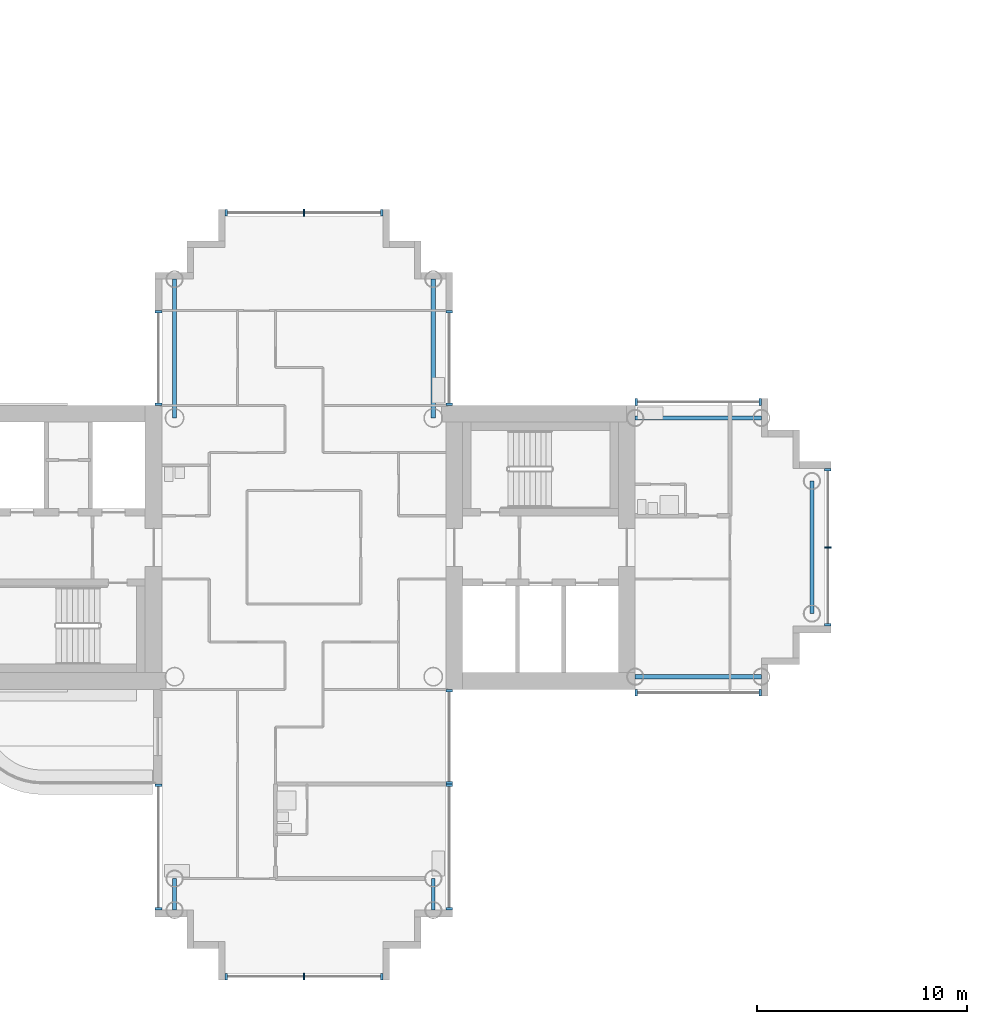
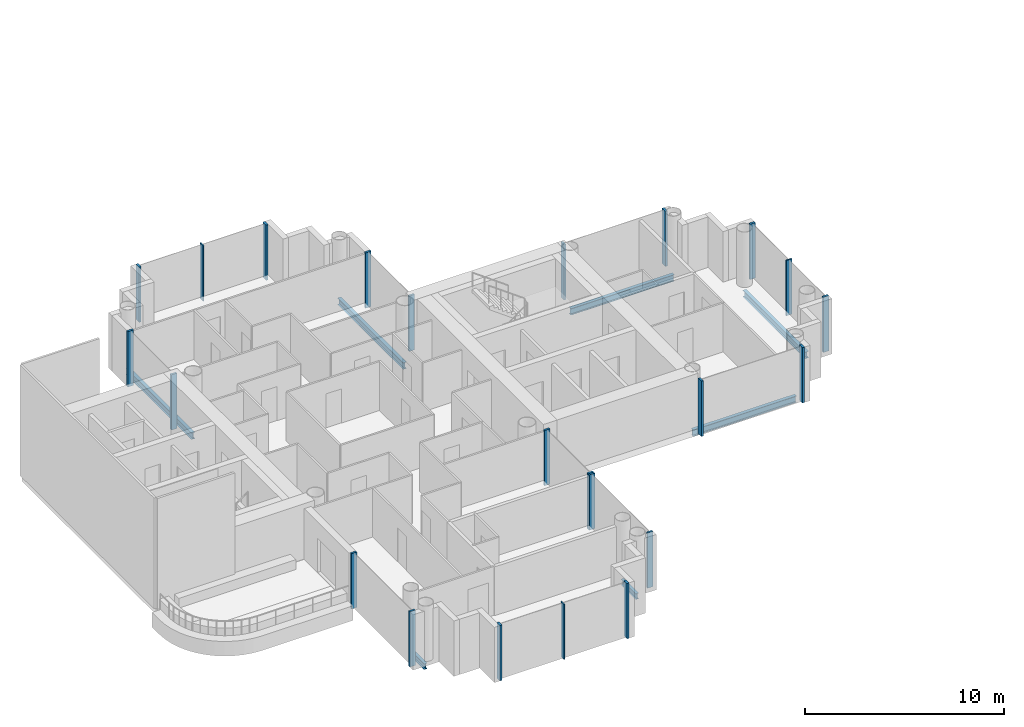
# One storey, part 3 of 20: 23 members, 7 beams, 10 elements without a shape of their own.
"""IFC4 building model written with IfcOpenShell, lengths in metres."""

import ifcopenshell
import ifcopenshell.guid

model = None  # the IFC model being written
_history = None  # IfcOwnerHistory: only IFC2X3 demands one
_inside = {}  # id of a spatial element -> (the spatial element, [elements in it])
_under = {}  # id of a project, library or spatial element -> (it, [spatial elements below it])
_declared = {}  # id of a project -> (the project, [libraries it declares])
_typed = {}  # id of a type object -> (the type object, [elements of that type])
_made_of = {}  # id of a material, layer set ... -> (it, [elements and type objects made of it])


def new_model(schema):
    """Start an empty IFC model of exactly this schema.

    Asked for "IFC4X3", IfcOpenShell would pick the latest addendum, in which some entities
    have other attributes; the version numbers below select the first issue.
    IFC2X3 requires an IfcOwnerHistory on every rooted entity: one is made here for all.
    """
    global model, _history
    if schema == "IFC4X3":
        model = ifcopenshell.file(schema_version=(4, 3, 0, 0))
    else:
        model = ifcopenshell.file(schema=schema)
    _inside.clear()
    _under.clear()
    _declared.clear()
    _typed.clear()
    _made_of.clear()
    _history = None
    if model.schema == "IFC2X3":
        org = make("IfcOrganization", Name="unknown")
        user = make(
            "IfcPersonAndOrganization",
            ThePerson=make("IfcPerson", FamilyName="unknown"),
            TheOrganization=org,
        )
        app = make(
            "IfcApplication",
            ApplicationDeveloper=org,
            Version="unknown",
            ApplicationFullName="unknown",
            ApplicationIdentifier="unknown",
        )
        _history = make(
            "IfcOwnerHistory",
            OwningUser=user,
            OwningApplication=app,
            ChangeAction="ADDED",
            CreationDate=0,
        )
    return model


def make(cls, **values):
    """One entity of the class cls with the attributes given. An attribute that is None is left unset."""
    return model.create_entity(
        cls, **{name: value for name, value in values.items() if value is not None}
    )


def rooted(cls, **values):
    """An entity with a GlobalId (a new one), such as an element, a storey or a relation."""
    return make(cls, GlobalId=ifcopenshell.guid.new(), OwnerHistory=_history, **values)


def si_unit(unit_type, name, prefix=None):
    """IfcSIUnit, for example si_unit("LENGTHUNIT", "METRE", prefix="MILLI")."""
    return make("IfcSIUnit", UnitType=unit_type, Prefix=prefix, Name=name)


def assignment(units):
    """IfcUnitAssignment: the units of a project."""
    return None if units is None else make("IfcUnitAssignment", Units=units)


def point(xyz):
    """IfcCartesianPoint."""
    return None if xyz is None else make("IfcCartesianPoint", Coordinates=xyz)


def direction(xyz):
    """IfcDirection."""
    return None if xyz is None else make("IfcDirection", DirectionRatios=xyz)


def frame(location, z_axis=None, x_axis=None):
    """IfcAxis2Placement3D, a coordinate frame: its origin and axes. An axis left out is left unset."""
    return make(
        "IfcAxis2Placement3D",
        Location=point(location),
        Axis=direction(z_axis),
        RefDirection=direction(x_axis),
    )


def frame_2d(location, x_axis=None):
    """IfcAxis2Placement2D, a coordinate frame in the plane: its origin and x axis."""
    return make(
        "IfcAxis2Placement2D", Location=point(location), RefDirection=direction(x_axis)
    )


def origin():
    """The frame at (0, 0, 0) with its axes left unset."""
    return frame((0.0, 0.0, 0.0))


def origin_2d():
    """The frame at (0, 0) in the plane with its x axis left unset."""
    return frame_2d((0.0, 0.0))


def place(relative_to, where):
    """IfcLocalPlacement: puts the frame where relative to a parent placement (None: the world)."""
    return make(
        "IfcLocalPlacement", PlacementRelTo=relative_to, RelativePlacement=where
    )


def context(
    kind, dimensions, precision=None, world=None, true_north=None, identifier=None
):
    """IfcGeometricRepresentationContext, for example the 3D "Model" context."""
    return make(
        "IfcGeometricRepresentationContext",
        ContextIdentifier=identifier,
        ContextType=kind,
        CoordinateSpaceDimension=dimensions,
        Precision=precision,
        WorldCoordinateSystem=world,
        TrueNorth=true_north,
    )


def subcontext(parent, identifier, kind, view, scale=None):
    """IfcGeometricRepresentationSubContext, for example "Body" below "Model"."""
    return make(
        "IfcGeometricRepresentationSubContext",
        ContextIdentifier=identifier,
        ContextType=kind,
        ParentContext=parent,
        TargetScale=scale,
        TargetView=view,
    )


def project(units=None, contexts=None):
    """IfcProject with its units and contexts."""
    return rooted(
        "IfcProject",
        Name="project",
        RepresentationContexts=contexts,
        UnitsInContext=assignment(units),
    )


def spatial(cls, under=None, at=None, **own):
    """A site, building, storey or space (cls), placed at a placement, below another one or the project."""
    s = rooted(cls, ObjectPlacement=at, **own)
    if under is not None:
        _under.setdefault(under.id(), (under, []))[1].append(s)
    return s


def profile(cls, at=None, kind="AREA", **sizes):
    """A parametric profile (cls). Its sizes go by their IFC names, for example OverallWidth=200.0."""
    return make(cls, ProfileType=kind, Position=at, **sizes)


def rectangle(**sizes):
    """IfcRectangleProfileDef."""
    return profile("IfcRectangleProfileDef", **sizes)


def i_section(**sizes):
    """IfcIShapeProfileDef."""
    return profile("IfcIShapeProfileDef", **sizes)


def extrude(swept, where, along, depth):
    """IfcExtrudedAreaSolid: the profile swept, set in the frame where, extruded along a direction by depth."""
    return make(
        "IfcExtrudedAreaSolid",
        SweptArea=swept,
        Position=where,
        ExtrudedDirection=direction(along),
        Depth=depth,
    )


def shape(context_of_items, identifier, shape_type, items):
    """IfcShapeRepresentation: the items that make up one representation, for example the "Body"."""
    return make(
        "IfcShapeRepresentation",
        ContextOfItems=context_of_items,
        RepresentationIdentifier=identifier,
        RepresentationType=shape_type,
        Items=items,
    )


def material(Name=None, Category=None):
    """IfcMaterial."""
    return make("IfcMaterial", Name=Name, Category=Category)


def layer(
    of_material, thickness, ventilated=None, Name=None, Category=None, Priority=None
):
    """IfcMaterialLayer: one layer of a wall or slab, of a material (None: an air gap)."""
    return make(
        "IfcMaterialLayer",
        Material=of_material,
        LayerThickness=thickness,
        IsVentilated=ventilated,
        Name=Name,
        Category=Category,
        Priority=Priority,
    )


def layer_set(layers, Name=None):
    """IfcMaterialLayerSet."""
    return make("IfcMaterialLayerSet", MaterialLayers=layers, LayerSetName=Name)


def material_profile(
    of_material, cross_section, Name=None, Category=None, Priority=None
):
    """IfcMaterialProfile: a cross section and its material."""
    return make(
        "IfcMaterialProfile",
        Name=Name,
        Material=of_material,
        Profile=cross_section,
        Priority=Priority,
        Category=Category,
    )


def profile_set(profiles, Name=None, composite=None):
    """IfcMaterialProfileSet."""
    return make(
        "IfcMaterialProfileSet",
        Name=Name,
        MaterialProfiles=profiles,
        CompositeProfile=composite,
    )


def made_of(thing, what):
    """Note that an element or type object is made of a material, layer set ...; save() writes the relation."""
    if what is not None:
        _made_of.setdefault(what.id(), (what, []))[1].append(thing)
    return thing


def type_object(cls, material=None, **own):
    """A type object (cls), such as IfcWallType, which elements share."""
    return made_of(rooted(cls, **own), material)


def element(
    cls,
    number,
    at=None,
    inside=None,
    cuts=None,
    type_object=None,
    material=None,
    context=None,
    identifier="Body",
    shape_type=None,
    held_by="IfcProductDefinitionShape",
    body=None,
    shapes=None,
    **own,
):
    """One element of the class cls, such as IfcWall. Its Tag is "e" and its number.

    at: its placement. inside: the storey or other place that contains it. cuts: it is an
    opening in that element (IfcRelVoidsElement). A single representation is given by context,
    identifier, shape_type and body (its items); several are given by shapes. held_by: the class
    of the entity that holds the representations. save() writes the other relations.
    """
    e = rooted(cls, Tag="e%d" % number, ObjectPlacement=at, **own)
    if body is not None:
        shapes = [shape(context, identifier, shape_type, body)]
    if shapes is not None:
        e.Representation = make(held_by, Representations=shapes)
    if inside is not None:
        _inside.setdefault(inside.id(), (inside, []))[1].append(e)
    if cuts is not None:
        rooted(
            "IfcRelVoidsElement", RelatingBuildingElement=cuts, RelatedOpeningElement=e
        )
    if type_object is not None:
        _typed.setdefault(type_object.id(), (type_object, []))[1].append(e)
    return made_of(e, material)


def aggregate(whole, parts):
    """IfcRelAggregates: a whole, such as a stair, and the parts it consists of."""
    return rooted("IfcRelAggregates", RelatingObject=whole, RelatedObjects=parts)


def save(model, path):
    """Write the relations noted so far, then the file.

    IfcRelAggregates (storeys below a building ...), IfcRelContainedInSpatialStructure (elements
    in a storey), IfcRelDefinesByType, IfcRelAssociatesMaterial and IfcRelDeclares: one each for
    every whole, place, type object, material and project.
    """
    for whole, parts in _under.values():
        aggregate(whole, parts)
    for where, things in _inside.values():
        rooted(
            "IfcRelContainedInSpatialStructure",
            RelatedElements=things,
            RelatingStructure=where,
        )
    for kind, things in _typed.values():
        rooted("IfcRelDefinesByType", RelatedObjects=things, RelatingType=kind)
    for what, things in _made_of.values():
        rooted("IfcRelAssociatesMaterial", RelatedObjects=things, RelatingMaterial=what)
    for by, libraries in _declared.values():
        rooted("IfcRelDeclares", RelatingContext=by, RelatedDefinitions=libraries)
    model.write(path)


model = new_model("IFC4")

# Units and contexts
model_context = context("Model", 3, precision=1e-05, world=origin(), true_north=direction((0.0, 1.0)))
body_context = subcontext(model_context, "Body", "Model", "MODEL_VIEW")
ifc_project = project(units=[si_unit("LENGTHUNIT", "METRE"), si_unit("AREAUNIT", "SQUARE_METRE"), si_unit("VOLUMEUNIT", "CUBIC_METRE"), si_unit("PLANEANGLEUNIT", "RADIAN"), si_unit("MASSUNIT", "GRAM", prefix="KILO")], contexts=[model_context])

# Site, building, storey
site_placement = place(None, origin())
site = spatial("IfcSite", under=ifc_project, at=site_placement, CompositionType="ELEMENT")
building_placement = place(site_placement, origin())
building = spatial("IfcBuilding", under=site, at=building_placement, Name="Ipe Terrace Towers", CompositionType="ELEMENT")
storey_placement = place(building_placement, frame((0.0, 0.0, 160.89990234375)))
storey = spatial("IfcBuildingStorey", under=building, at=storey_placement, Name="L44", CompositionType="ELEMENT", Elevation=160.89990234375)

# Beams
ifc_material_1 = material(Name="Steel S355", Category="steel")
ifc_material_profile_1 = material_profile(ifc_material_1, i_section(OverallWidth=0.175048828125, OverallDepth=0.35009765625, WebThickness=0.007080078125, FlangeThickness=0.010986328125, at=origin_2d()), Name="H-350x175x7x11")
ifc_profile_set_1 = profile_set([ifc_material_profile_1], Name="Steel S355")
beam_type_1 = type_object("IfcBeamType", Name="H04 EDGE BEAM H-350x175x7x11", PredefinedType="BEAM", material=ifc_profile_set_1)
for number, where, z_axis, x_axis, name in (
    (1, (-42.14990234375, -15.75, -0.574951171875), (0.0, -1.0, 0.0), (1.0, 0.0, 0.0), "Edge beam T1-EB-D03-D05"),
    (2, (-29.85009765625, -15.75, -0.574951171875), (0.0, -1.0, 0.0), (1.0, 0.0, 0.0), "Edge beam T1-EB-D04-D06"),
):
    element("IfcBeam", number, at=place(storey_placement, frame(where, z_axis=z_axis, x_axis=x_axis)), inside=storey, type_object=beam_type_1, Name=name, PredefinedType="BEAM", context=body_context, shape_type="SweptSolid", body=[
        extrude(i_section(OverallWidth=0.175048828125, OverallDepth=0.35009765625, WebThickness=0.007080078125, FlangeThickness=0.010986328125, at=origin_2d()), origin(), (0.0, 0.0, 1.0), 1.5),
    ])
ifc_material_2 = material(Name="Steel S355", Category="steel")
ifc_material_profile_2 = material_profile(ifc_material_2, i_section(OverallWidth=0.199951171875, OverallDepth=0.39990234375, WebThickness=0.008056640625, FlangeThickness=0.012939453125, at=origin_2d()), Name="H-400x200x8x13")
ifc_profile_set_2 = profile_set([ifc_material_profile_2], Name="Steel S355")
beam_type_2 = type_object("IfcBeamType", Name="H06 EDGE BEAM H-400x200x8x13", PredefinedType="BEAM", material=ifc_profile_set_2)
for number, where, z_axis, x_axis, name in (
    (3, (-20.25, -6.14990234375, -0.599853515625), (1.0, 0.0, 0.0), (0.0, 1.0, 0.0), "Edge beam T1-EB-A01-A03"),
    (4, (-20.25, 6.14990234375, -0.599853515625), (1.0, 0.0, 0.0), (0.0, 1.0, 0.0), "Edge beam T1-EB-A02-A04"),
):
    element("IfcBeam", number, at=place(storey_placement, frame(where, z_axis=z_axis, x_axis=x_axis)), inside=storey, type_object=beam_type_2, Name=name, PredefinedType="BEAM", context=body_context, shape_type="SweptSolid", body=[
        extrude(i_section(OverallWidth=0.199951171875, OverallDepth=0.39990234375, WebThickness=0.008056640625, FlangeThickness=0.012939453125, at=origin_2d()), origin(), (0.0, 0.0, 1.0), 6.0),
    ])
beam_placement = place(storey_placement, frame((-11.85009765625, -3.14990234375, -0.599853515625), z_axis=(0.0, 1.0, 0.0), x_axis=(-1.0, 0.0, 0.0)))
element("IfcBeam", 5, at=beam_placement, inside=storey, type_object=beam_type_2, Name="Edge beam T1-EB-A05-A06", PredefinedType="BEAM", context=body_context, shape_type="SweptSolid", body=[
    extrude(i_section(OverallWidth=0.199951171875, OverallDepth=0.39990234375, WebThickness=0.008056640625, FlangeThickness=0.012939453125, at=origin_2d()), origin(), (0.0, 0.0, 1.0), 6.2998046875),
])
for number, where, z_axis, x_axis, name in (
    (6, (-29.85009765625, 12.75, -0.599853515625), (0.0, -1.0, 0.0), (1.0, 0.0, 0.0), "Edge beam T1-EB-B01-E03"),
    (7, (-42.14990234375, 12.75, -0.599853515625), (0.0, -1.0, 0.0), (1.0, 0.0, 0.0), "Edge beam T1-EB-B02-E04"),
):
    element("IfcBeam", number, at=place(storey_placement, frame(where, z_axis=z_axis, x_axis=x_axis)), inside=storey, type_object=beam_type_2, Name=name, PredefinedType="BEAM", context=body_context, shape_type="SweptSolid", body=[
        extrude(i_section(OverallWidth=0.199951171875, OverallDepth=0.39990234375, WebThickness=0.008056640625, FlangeThickness=0.012939453125, at=origin_2d()), origin(), (0.0, 0.0, 1.0), 6.60009765625),
    ])

# Curtain wall, members
ifc_material_3 = material(Name="Aluminium alloy 6063-T6", Category="aluminium")
ifc_layer = layer(ifc_material_3, 0.320068359375)
ifc_layer_set = layer_set([ifc_layer], Name="TOWER UNITISED CURTAIN WALL")
curtain_wall_type = type_object("IfcCurtainWallType", Name="TOWER UNITISED CURTAIN WALL", PredefinedType="NOTDEFINED", material=ifc_layer_set)
curtain_wall_1_placement = place(storey_placement, origin())
curtain_wall_1 = element("IfcCurtainWall", 8, at=curtain_wall_1_placement, inside=storey, type_object=curtain_wall_type, Name="T1-CW-L44-03a curtain wall", PredefinedType="NOTDEFINED")
ifc_material_4 = material(Name="Aluminium alloy 6063-T6", Category="aluminium")
ifc_material_profile_3 = material_profile(ifc_material_4, rectangle(XDim=0.320068359375, YDim=0.1201171875, at=origin_2d()), Name="TOWER UNITISED CORNER MULLION 320 x 120")
ifc_profile_set_3 = profile_set([ifc_material_profile_3], Name="Aluminium alloy 6063-T6")
member_type_1 = type_object("IfcMemberType", Name="TOWER UNITISED CORNER MULLION 320 x 120", PredefinedType="MULLION", material=ifc_profile_set_3)
member_1_placement = place(storey_placement, frame((-42.909912109375, -11.31005859375, -0.2998046875), z_axis=(0.0, 0.0, 1.0), x_axis=(-1.0, 0.0, 0.0)))
member_1 = element("IfcMember", 9, at=member_1_placement, type_object=member_type_1, Name="T1-CW-L44-03a mullion 1", PredefinedType="MULLION", context=body_context, shape_type="SweptSolid", body=[
    extrude(rectangle(XDim=0.320068359375, YDim=0.1201171875, at=origin_2d()), origin(), (0.0, 0.0, 1.0), 3.39990234375),
])
member_2_placement = place(storey_placement, frame((-42.909912109375, -17.18994140625, -0.2998046875), z_axis=(0.0, 0.0, 1.0), x_axis=(-1.0, 0.0, 0.0)))
member_2 = element("IfcMember", 10, at=member_2_placement, type_object=member_type_1, Name="T1-CW-L44-03a mullion 2", PredefinedType="MULLION", context=body_context, shape_type="SweptSolid", body=[
    extrude(rectangle(XDim=0.320068359375, YDim=0.1201171875, at=origin_2d()), origin(), (0.0, 0.0, 1.0), 3.39990234375),
])
aggregate(curtain_wall_1, [member_1, member_2])

curtain_wall_2_placement = place(storey_placement, origin())
curtain_wall_2 = element("IfcCurtainWall", 11, at=curtain_wall_2_placement, inside=storey, type_object=curtain_wall_type, Name="T1-CW-L44-08a curtain wall", PredefinedType="NOTDEFINED")
member_3_placement = place(storey_placement, frame((-39.68994140625, -20.409912109375, -0.2998046875), z_axis=(0.0, 0.0, 1.0), x_axis=(0.0, -1.0, 0.0)))
member_3 = element("IfcMember", 12, at=member_3_placement, type_object=member_type_1, Name="T1-CW-L44-08a mullion 1", PredefinedType="MULLION", context=body_context, shape_type="SweptSolid", body=[
    extrude(rectangle(XDim=0.320068359375, YDim=0.1201171875, at=origin_2d()), origin(), (0.0, 0.0, 1.0), 3.39990234375),
])
member_4_placement = place(storey_placement, frame((-32.31005859375, -20.409912109375, -0.2998046875), z_axis=(0.0, 0.0, 1.0), x_axis=(0.0, -1.0, 0.0)))
member_4 = element("IfcMember", 13, at=member_4_placement, type_object=member_type_1, Name="T1-CW-L44-08a mullion 3", PredefinedType="MULLION", context=body_context, shape_type="SweptSolid", body=[
    extrude(rectangle(XDim=0.320068359375, YDim=0.1201171875, at=origin_2d()), origin(), (0.0, 0.0, 1.0), 3.39990234375),
])

curtain_wall_3_placement = place(storey_placement, origin())
curtain_wall_3 = element("IfcCurtainWall", 14, at=curtain_wall_3_placement, inside=storey, type_object=curtain_wall_type, Name="T1-CW-L44-13a curtain wall", PredefinedType="NOTDEFINED")
member_5_placement = place(storey_placement, frame((-29.090087890625, -17.18994140625, -0.2998046875), z_axis=(0.0, 0.0, 1.0), x_axis=(1.0, 0.0, 0.0)))
member_5 = element("IfcMember", 15, at=member_5_placement, type_object=member_type_1, Name="T1-CW-L44-13a mullion 1", PredefinedType="MULLION", context=body_context, shape_type="SweptSolid", body=[
    extrude(rectangle(XDim=0.320068359375, YDim=0.1201171875, at=origin_2d()), origin(), (0.0, 0.0, 1.0), 3.39990234375),
])
member_6_placement = place(storey_placement, frame((-29.090087890625, -11.31005859375, -0.2998046875), z_axis=(0.0, 0.0, 1.0), x_axis=(1.0, 0.0, 0.0)))
member_6 = element("IfcMember", 16, at=member_6_placement, type_object=member_type_1, Name="T1-CW-L44-13a mullion 2", PredefinedType="MULLION", context=body_context, shape_type="SweptSolid", body=[
    extrude(rectangle(XDim=0.320068359375, YDim=0.1201171875, at=origin_2d()), origin(), (0.0, 0.0, 1.0), 3.39990234375),
])
aggregate(curtain_wall_3, [member_5, member_6])

curtain_wall_4_placement = place(storey_placement, origin())
curtain_wall_4 = element("IfcCurtainWall", 17, at=curtain_wall_4_placement, inside=storey, type_object=curtain_wall_type, Name="T1-CW-L44-14a curtain wall", PredefinedType="NOTDEFINED")
member_7_placement = place(storey_placement, frame((-29.090087890625, -11.18994140625, -0.2998046875), z_axis=(0.0, 0.0, 1.0), x_axis=(1.0, 0.0, 0.0)))
member_7 = element("IfcMember", 18, at=member_7_placement, type_object=member_type_1, Name="T1-CW-L44-14a mullion 1", PredefinedType="MULLION", context=body_context, shape_type="SweptSolid", body=[
    extrude(rectangle(XDim=0.320068359375, YDim=0.1201171875, at=origin_2d()), origin(), (0.0, 0.0, 1.0), 3.39990234375),
])
member_8_placement = place(storey_placement, frame((-29.090087890625, -6.81005859375, -0.2998046875), z_axis=(0.0, 0.0, 1.0), x_axis=(1.0, 0.0, 0.0)))
member_8 = element("IfcMember", 19, at=member_8_placement, type_object=member_type_1, Name="T1-CW-L44-14a mullion 2", PredefinedType="MULLION", context=body_context, shape_type="SweptSolid", body=[
    extrude(rectangle(XDim=0.320068359375, YDim=0.1201171875, at=origin_2d()), origin(), (0.0, 0.0, 1.0), 3.39990234375),
])
aggregate(curtain_wall_4, [member_7, member_8])

curtain_wall_5_placement = place(storey_placement, origin())
curtain_wall_5 = element("IfcCurtainWall", 20, at=curtain_wall_5_placement, inside=storey, type_object=curtain_wall_type, Name="T1-CW-L44-16b curtain wall", PredefinedType="NOTDEFINED")
member_9_placement = place(storey_placement, frame((-20.18896484375, -6.909912109375, -0.2998046875), z_axis=(0.0, 0.0, 1.0), x_axis=(0.0, -1.0, 0.0)))
member_9 = element("IfcMember", 21, at=member_9_placement, type_object=member_type_1, Name="T1-CW-L44-16b mullion 1", PredefinedType="MULLION", context=body_context, shape_type="SweptSolid", body=[
    extrude(rectangle(XDim=0.320068359375, YDim=0.1201171875, at=origin_2d()), origin(), (0.0, 0.0, 1.0), 3.39990234375),
])
member_10_placement = place(storey_placement, frame((-14.31005859375, -6.909912109375, -0.2998046875), z_axis=(0.0, 0.0, 1.0), x_axis=(0.0, -1.0, 0.0)))
member_10 = element("IfcMember", 22, at=member_10_placement, type_object=member_type_1, Name="T1-CW-L44-16b mullion 2", PredefinedType="MULLION", context=body_context, shape_type="SweptSolid", body=[
    extrude(rectangle(XDim=0.320068359375, YDim=0.1201171875, at=origin_2d()), origin(), (0.0, 0.0, 1.0), 3.39990234375),
])
aggregate(curtain_wall_5, [member_9, member_10])

curtain_wall_6_placement = place(storey_placement, origin())
curtain_wall_6 = element("IfcCurtainWall", 23, at=curtain_wall_6_placement, inside=storey, type_object=curtain_wall_type, Name="T1-CW-L44-21a curtain wall", PredefinedType="NOTDEFINED")
member_11_placement = place(storey_placement, frame((-11.090087890625, -3.68994140625, -0.2998046875), z_axis=(0.0, 0.0, 1.0), x_axis=(1.0, 0.0, 0.0)))
member_11 = element("IfcMember", 24, at=member_11_placement, type_object=member_type_1, Name="T1-CW-L44-21a mullion 1", PredefinedType="MULLION", context=body_context, shape_type="SweptSolid", body=[
    extrude(rectangle(XDim=0.320068359375, YDim=0.1201171875, at=origin_2d()), origin(), (0.0, 0.0, 1.0), 3.39990234375),
])
member_12_placement = place(storey_placement, frame((-11.090087890625, 3.68994140625, -0.2998046875), z_axis=(0.0, 0.0, 1.0), x_axis=(1.0, 0.0, 0.0)))
member_12 = element("IfcMember", 25, at=member_12_placement, type_object=member_type_1, Name="T1-CW-L44-21a mullion 3", PredefinedType="MULLION", context=body_context, shape_type="SweptSolid", body=[
    extrude(rectangle(XDim=0.320068359375, YDim=0.1201171875, at=origin_2d()), origin(), (0.0, 0.0, 1.0), 3.39990234375),
])

curtain_wall_7_placement = place(storey_placement, origin())
curtain_wall_7 = element("IfcCurtainWall", 26, at=curtain_wall_7_placement, inside=storey, type_object=curtain_wall_type, Name="T1-CW-L44-26a curtain wall", PredefinedType="NOTDEFINED")
member_13_placement = place(storey_placement, frame((-14.31005859375, 6.909912109375, -0.2998046875), z_axis=(0.0, 0.0, 1.0), x_axis=(0.0, 1.0, 0.0)))
member_13 = element("IfcMember", 27, at=member_13_placement, type_object=member_type_1, Name="T1-CW-L44-26a mullion 1", PredefinedType="MULLION", context=body_context, shape_type="SweptSolid", body=[
    extrude(rectangle(XDim=0.320068359375, YDim=0.1201171875, at=origin_2d()), origin(), (0.0, 0.0, 1.0), 3.39990234375),
])
member_14_placement = place(storey_placement, frame((-20.18896484375, 6.909912109375, -0.2998046875), z_axis=(0.0, 0.0, 1.0), x_axis=(0.0, 1.0, 0.0)))
member_14 = element("IfcMember", 28, at=member_14_placement, type_object=member_type_1, Name="T1-CW-L44-26a mullion 2", PredefinedType="MULLION", context=body_context, shape_type="SweptSolid", body=[
    extrude(rectangle(XDim=0.320068359375, YDim=0.1201171875, at=origin_2d()), origin(), (0.0, 0.0, 1.0), 3.39990234375),
])
aggregate(curtain_wall_7, [member_13, member_14])

curtain_wall_8_placement = place(storey_placement, origin())
curtain_wall_8 = element("IfcCurtainWall", 29, at=curtain_wall_8_placement, inside=storey, type_object=curtain_wall_type, Name="T1-CW-L44-28a curtain wall", PredefinedType="NOTDEFINED")
member_15_placement = place(storey_placement, frame((-29.090087890625, 6.81005859375, -0.2998046875), z_axis=(0.0, 0.0, 1.0), x_axis=(1.0, 0.0, 0.0)))
member_15 = element("IfcMember", 30, at=member_15_placement, type_object=member_type_1, Name="T1-CW-L44-28a mullion 1", PredefinedType="MULLION", context=body_context, shape_type="SweptSolid", body=[
    extrude(rectangle(XDim=0.320068359375, YDim=0.1201171875, at=origin_2d()), origin(), (0.0, 0.0, 1.0), 3.39990234375),
])
member_16_placement = place(storey_placement, frame((-29.090087890625, 11.18994140625, -0.2998046875), z_axis=(0.0, 0.0, 1.0), x_axis=(1.0, 0.0, 0.0)))
member_16 = element("IfcMember", 31, at=member_16_placement, type_object=member_type_1, Name="T1-CW-L44-28a mullion 2", PredefinedType="MULLION", context=body_context, shape_type="SweptSolid", body=[
    extrude(rectangle(XDim=0.320068359375, YDim=0.1201171875, at=origin_2d()), origin(), (0.0, 0.0, 1.0), 3.39990234375),
])
aggregate(curtain_wall_8, [member_15, member_16])

curtain_wall_9_placement = place(storey_placement, origin())
curtain_wall_9 = element("IfcCurtainWall", 32, at=curtain_wall_9_placement, inside=storey, type_object=curtain_wall_type, Name="T1-CW-L44-34a curtain wall", PredefinedType="NOTDEFINED")
member_17_placement = place(storey_placement, frame((-32.31005859375, 15.909912109375, -0.2998046875), z_axis=(0.0, 0.0, 1.0), x_axis=(0.0, 1.0, 0.0)))
member_17 = element("IfcMember", 33, at=member_17_placement, type_object=member_type_1, Name="T1-CW-L44-34a mullion 1", PredefinedType="MULLION", context=body_context, shape_type="SweptSolid", body=[
    extrude(rectangle(XDim=0.320068359375, YDim=0.1201171875, at=origin_2d()), origin(), (0.0, 0.0, 1.0), 3.39990234375),
])
member_18_placement = place(storey_placement, frame((-39.68994140625, 15.909912109375, -0.2998046875), z_axis=(0.0, 0.0, 1.0), x_axis=(0.0, 1.0, 0.0)))
member_18 = element("IfcMember", 34, at=member_18_placement, type_object=member_type_1, Name="T1-CW-L44-34a mullion 3", PredefinedType="MULLION", context=body_context, shape_type="SweptSolid", body=[
    extrude(rectangle(XDim=0.320068359375, YDim=0.1201171875, at=origin_2d()), origin(), (0.0, 0.0, 1.0), 3.39990234375),
])

curtain_wall_10_placement = place(storey_placement, origin())
curtain_wall_10 = element("IfcCurtainWall", 35, at=curtain_wall_10_placement, inside=storey, type_object=curtain_wall_type, Name="T1-CW-L44-40a curtain wall", PredefinedType="NOTDEFINED")
member_19_placement = place(storey_placement, frame((-42.909912109375, 11.18994140625, -0.2998046875), z_axis=(0.0, 0.0, 1.0), x_axis=(-1.0, 0.0, 0.0)))
member_19 = element("IfcMember", 36, at=member_19_placement, type_object=member_type_1, Name="T1-CW-L44-40a mullion 1", PredefinedType="MULLION", context=body_context, shape_type="SweptSolid", body=[
    extrude(rectangle(XDim=0.320068359375, YDim=0.1201171875, at=origin_2d()), origin(), (0.0, 0.0, 1.0), 3.39990234375),
])
member_20_placement = place(storey_placement, frame((-42.909912109375, 6.81005859375, -0.2998046875), z_axis=(0.0, 0.0, 1.0), x_axis=(-1.0, 0.0, 0.0)))
member_20 = element("IfcMember", 37, at=member_20_placement, type_object=member_type_1, Name="T1-CW-L44-40a mullion 2", PredefinedType="MULLION", context=body_context, shape_type="SweptSolid", body=[
    extrude(rectangle(XDim=0.320068359375, YDim=0.1201171875, at=origin_2d()), origin(), (0.0, 0.0, 1.0), 3.39990234375),
])
aggregate(curtain_wall_10, [member_19, member_20])

# Member
ifc_material_5 = material(Name="Aluminium alloy 6063-T6", Category="aluminium")
ifc_material_profile_4 = material_profile(ifc_material_5, rectangle(XDim=0.320068359375, YDim=0.06494140625, at=origin_2d()), Name="TOWER UNITISED MULLION 320 x 65")
ifc_profile_set_4 = profile_set([ifc_material_profile_4], Name="Aluminium alloy 6063-T6")
member_type_2 = type_object("IfcMemberType", Name="TOWER UNITISED MULLION 320 x 65", PredefinedType="MULLION", material=ifc_profile_set_4)
member_21_placement = place(storey_placement, frame((-36.0, -20.409912109375, -0.2998046875), z_axis=(0.0, 0.0, 1.0), x_axis=(0.0, -1.0, 0.0)))
member_21 = element("IfcMember", 38, at=member_21_placement, type_object=member_type_2, Name="T1-CW-L44-08a mullion 2", PredefinedType="MULLION", context=body_context, shape_type="SweptSolid", body=[
    extrude(rectangle(XDim=0.320068359375, YDim=0.06494140625, at=origin_2d()), origin(), (0.0, 0.0, 1.0), 3.39990234375),
])

aggregate(curtain_wall_2, [member_3, member_21, member_4])

member_22_placement = place(storey_placement, frame((-11.090087890625, 0.0, -0.2998046875), z_axis=(0.0, 0.0, 1.0), x_axis=(1.0, 0.0, 0.0)))
member_22 = element("IfcMember", 39, at=member_22_placement, type_object=member_type_2, Name="T1-CW-L44-21a mullion 2", PredefinedType="MULLION", context=body_context, shape_type="SweptSolid", body=[
    extrude(rectangle(XDim=0.320068359375, YDim=0.06494140625, at=origin_2d()), origin(), (0.0, 0.0, 1.0), 3.39990234375),
])

aggregate(curtain_wall_6, [member_11, member_22, member_12])

member_23_placement = place(storey_placement, frame((-36.0, 15.909912109375, -0.2998046875), z_axis=(0.0, 0.0, 1.0), x_axis=(0.0, 1.0, 0.0)))
member_23 = element("IfcMember", 40, at=member_23_placement, type_object=member_type_2, Name="T1-CW-L44-34a mullion 2", PredefinedType="MULLION", context=body_context, shape_type="SweptSolid", body=[
    extrude(rectangle(XDim=0.320068359375, YDim=0.06494140625, at=origin_2d()), origin(), (0.0, 0.0, 1.0), 3.39990234375),
])

aggregate(curtain_wall_9, [member_17, member_23, member_18])

save(model, "model.ifc")
